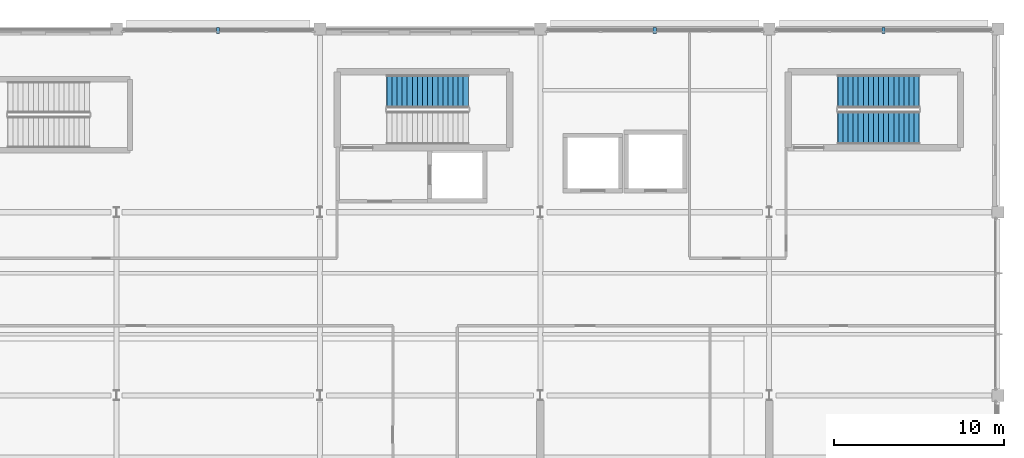
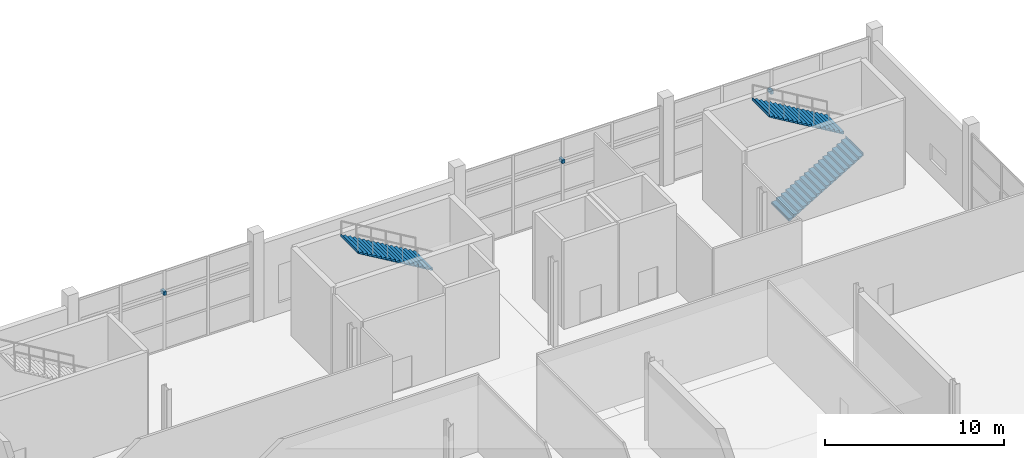
# One storey, part 176 of 191: 3 discrete accessories, 3 stair flights, 2 elements without a shape of their own.
"""IFC4 building model written with IfcOpenShell, lengths in metres."""

from ifc_helpers import new_model, si_unit, direction, frame, origin, origin_2d, place, context, subcontext, project, spatial, polyline, rectangle, outline, extrude, material, type_object, element, aggregate, save


model = new_model("IFC4")

# Units and contexts
model_context = context("Model", 3, precision=1e-05, world=origin(), true_north=direction((0.0, 1.0)))
body_context = subcontext(model_context, "Body", "Model", "MODEL_VIEW")
ifc_project = project(units=[si_unit("LENGTHUNIT", "METRE"), si_unit("AREAUNIT", "SQUARE_METRE"), si_unit("VOLUMEUNIT", "CUBIC_METRE"), si_unit("PLANEANGLEUNIT", "RADIAN"), si_unit("MASSUNIT", "GRAM", prefix="KILO")], contexts=[model_context])

# Site, building, storey
site_placement = place(None, origin())
site = spatial("IfcSite", under=ifc_project, at=site_placement, CompositionType="ELEMENT")
building_placement = place(site_placement, origin())
building = spatial("IfcBuilding", under=site, at=building_placement, Name="Tamarisk Ironworks Central Station", CompositionType="ELEMENT")
storey_placement = place(building_placement, frame((0.0, 0.0, 6.60009765625)))
storey = spatial("IfcBuildingStorey", under=building, at=storey_placement, Name="L01", CompositionType="ELEMENT", Elevation=6.60009765625)

# Stair, stair flight
ifc_material_1 = material(Name="Concrete C35/45", Category="concrete")
stair_type = type_object("IfcStairType", Name="ST-CORE-A", PredefinedType="HALF_TURN_STAIR", material=ifc_material_1)
stair_1_placement = place(storey_placement, origin())
stair_1 = element("IfcStair", 1, at=stair_1_placement, inside=storey, type_object=stair_type, Name="L01 Firefighting Exit Stair Core 1", PredefinedType="HALF_TURN_STAIR")
stair_flight_type = type_object("IfcStairFlightType", Name="SF-CORE-A", PredefinedType="STRAIGHT", material=ifc_material_1)
stair_flight_1_placement = place(storey_placement, frame((148.75, 118.72509765625, 3.0), z_axis=(0.0, 0.0, 1.0), x_axis=(-1.0, 0.0, 0.0)))
stair_flight_1 = element("IfcStairFlight", 2, at=stair_flight_1_placement, type_object=stair_flight_type, Name="ST-C1 flight 2", NumberOfRisers=17, NumberOfTreads=16, PredefinedType="STRAIGHT", RiserHeight=0.176470588, TreadLength=0.3, context=body_context, shape_type="SweptSolid", body=[
    extrude(outline(polyline([(-0.01806640625, 0.0), (-0.01806640625, 0.11474609375), (0.0, 0.11474609375), (0.0, 0.176513671875), (0.300048828125, 0.176513671875), (0.300048828125, 0.35302734375), (0.60009765625, 0.35302734375), (0.60009765625, 0.529296875), (0.89990234375, 0.529296875), (0.89990234375, 0.705810546875), (1.199951171875, 0.705810546875), (1.199951171875, 0.88232421875), (1.5, 0.88232421875), (1.5, 1.058837890625), (1.800048828125, 1.058837890625), (1.800048828125, 1.2353515625), (2.10009765625, 1.2353515625), (2.10009765625, 1.411865234375), (2.39990234375, 1.411865234375), (2.39990234375, 1.588134765625), (2.699951171875, 1.588134765625), (2.699951171875, 1.7646484375), (3.0, 1.7646484375), (3.0, 1.941162109375), (3.300048828125, 1.941162109375), (3.300048828125, 2.11767578125), (3.60009765625, 2.11767578125), (3.60009765625, 2.294189453125), (3.89990234375, 2.294189453125), (3.89990234375, 2.470703125), (4.199951171875, 2.470703125), (4.199951171875, 2.64697265625), (4.5, 2.64697265625), (4.5, 2.823486328125), (4.800048828125, 2.823486328125), (4.800048828125, 3.0), (4.818115234375, 3.0), (4.818115234375, 2.81005859375), (0.080078125, 0.0), (-0.01806640625, 0.0)])), frame((0.0, 0.97509765625, 0.0), z_axis=(0.0, -1.0, 0.0), x_axis=(1.0, 0.0, 0.0)), (0.0, 0.0, 1.0), 1.949951171875),
])
aggregate(stair_1, [stair_flight_1])

# Stair, stair flights
stair_2_placement = place(storey_placement, origin())
stair_2 = element("IfcStair", 3, at=stair_2_placement, inside=storey, type_object=stair_type, Name="L01 East Operations Exit Stair Core 2", PredefinedType="HALF_TURN_STAIR")
stair_flight_2_placement = place(storey_placement, frame((170.550048828125, 116.574951171875, 0.0), z_axis=(0.0, 0.0, 1.0), x_axis=(1.0, 0.0, 0.0)))
stair_flight_2 = element("IfcStairFlight", 4, at=stair_flight_2_placement, type_object=stair_flight_type, Name="ST-C2 flight 1", NumberOfRisers=17, NumberOfTreads=16, PredefinedType="STRAIGHT", RiserHeight=0.176470588, TreadLength=0.3, context=body_context, shape_type="SweptSolid", body=[
    extrude(outline(polyline([(-0.01806640625, 0.0), (-0.01806640625, 0.11474609375), (0.0, 0.11474609375), (0.0, 0.176513671875), (0.300048828125, 0.176513671875), (0.300048828125, 0.35302734375), (0.60009765625, 0.35302734375), (0.60009765625, 0.529296875), (0.89990234375, 0.529296875), (0.89990234375, 0.705810546875), (1.199951171875, 0.705810546875), (1.199951171875, 0.88232421875), (1.5, 0.88232421875), (1.5, 1.058837890625), (1.800048828125, 1.058837890625), (1.800048828125, 1.2353515625), (2.10009765625, 1.2353515625), (2.10009765625, 1.411865234375), (2.39990234375, 1.411865234375), (2.39990234375, 1.588134765625), (2.699951171875, 1.588134765625), (2.699951171875, 1.7646484375), (3.0, 1.7646484375), (3.0, 1.941162109375), (3.300048828125, 1.941162109375), (3.300048828125, 2.11767578125), (3.60009765625, 2.11767578125), (3.60009765625, 2.294189453125), (3.89990234375, 2.294189453125), (3.89990234375, 2.470703125), (4.199951171875, 2.470703125), (4.199951171875, 2.64697265625), (4.5, 2.64697265625), (4.5, 2.823486328125), (4.800048828125, 2.823486328125), (4.800048828125, 3.0), (4.818115234375, 3.0), (4.818115234375, 2.81005859375), (0.080078125, 0.0), (-0.01806640625, 0.0)])), frame((0.0, 0.97509765625, 0.0), z_axis=(0.0, -1.0, 0.0), x_axis=(1.0, 0.0, 0.0)), (0.0, 0.0, 1.0), 1.949951171875),
])
stair_flight_3_placement = place(storey_placement, frame((175.35009765625, 118.72509765625, 3.0), z_axis=(0.0, 0.0, 1.0), x_axis=(-1.0, 0.0, 0.0)))
stair_flight_3 = element("IfcStairFlight", 5, at=stair_flight_3_placement, type_object=stair_flight_type, Name="ST-C2 flight 2", NumberOfRisers=17, NumberOfTreads=16, PredefinedType="STRAIGHT", RiserHeight=0.176470588, TreadLength=0.3, context=body_context, shape_type="SweptSolid", body=[
    extrude(outline(polyline([(-0.01806640625, 0.0), (-0.01806640625, 0.11474609375), (0.0, 0.11474609375), (0.0, 0.176513671875), (0.300048828125, 0.176513671875), (0.300048828125, 0.35302734375), (0.60009765625, 0.35302734375), (0.60009765625, 0.529296875), (0.89990234375, 0.529296875), (0.89990234375, 0.705810546875), (1.199951171875, 0.705810546875), (1.199951171875, 0.88232421875), (1.5, 0.88232421875), (1.5, 1.058837890625), (1.800048828125, 1.058837890625), (1.800048828125, 1.2353515625), (2.10009765625, 1.2353515625), (2.10009765625, 1.411865234375), (2.39990234375, 1.411865234375), (2.39990234375, 1.588134765625), (2.699951171875, 1.588134765625), (2.699951171875, 1.7646484375), (3.0, 1.7646484375), (3.0, 1.941162109375), (3.300048828125, 1.941162109375), (3.300048828125, 2.11767578125), (3.60009765625, 2.11767578125), (3.60009765625, 2.294189453125), (3.89990234375, 2.294189453125), (3.89990234375, 2.470703125), (4.199951171875, 2.470703125), (4.199951171875, 2.64697265625), (4.5, 2.64697265625), (4.5, 2.823486328125), (4.800048828125, 2.823486328125), (4.800048828125, 3.0), (4.818115234375, 3.0), (4.818115234375, 2.81005859375), (0.080078125, 0.0), (-0.01806640625, 0.0)])), frame((0.0, 0.97509765625, 0.0), z_axis=(0.0, -1.0, 0.0), x_axis=(1.0, 0.0, 0.0)), (0.0, 0.0, 1.0), 1.949951171875),
])
aggregate(stair_2, [stair_flight_2, stair_flight_3])

# Discrete accessories
ifc_material_2 = material(Name="Brushed stainless steel AISI 316", Category="steel")
discrete_accessory_type = type_object("IfcDiscreteAccessoryType", Name="ACC-BRK01", PredefinedType="BRACKET", material=ifc_material_2)
for number, where, z_axis, x_axis, name in (
    (6, (134.0, 122.320068359375, 3.77978515625), (0.0, 0.0, 1.0), (1.0, 0.0, 0.0), "L01 solar canopy mounting bracket 001"),
    (7, (159.75, 122.320068359375, 3.77978515625), (0.0, 0.0, 1.0), (1.0, 0.0, 0.0), "L01 solar canopy mounting bracket 002"),
    (8, (173.25, 122.320068359375, 3.77978515625), (0.0, 0.0, 1.0), (1.0, 0.0, 0.0), "L01 solar canopy mounting bracket 003"),
):
    element("IfcDiscreteAccessory", number, at=place(storey_placement, frame(where, z_axis=z_axis, x_axis=x_axis)), inside=storey, type_object=discrete_accessory_type, Name=name, PredefinedType="BRACKET", context=body_context, shape_type="SweptSolid", body=[
        extrude(rectangle(XDim=0.179931640625, YDim=0.360107421875, at=origin_2d()), origin(), (0.0, 0.0, 1.0), 0.239990234375),
    ])

save(model, "model.ifc")
